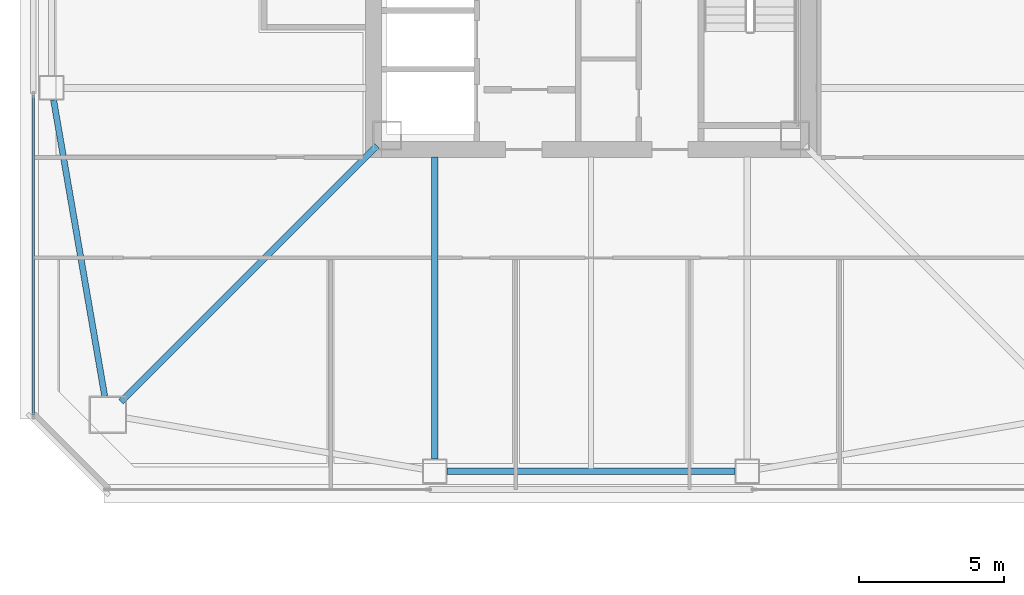
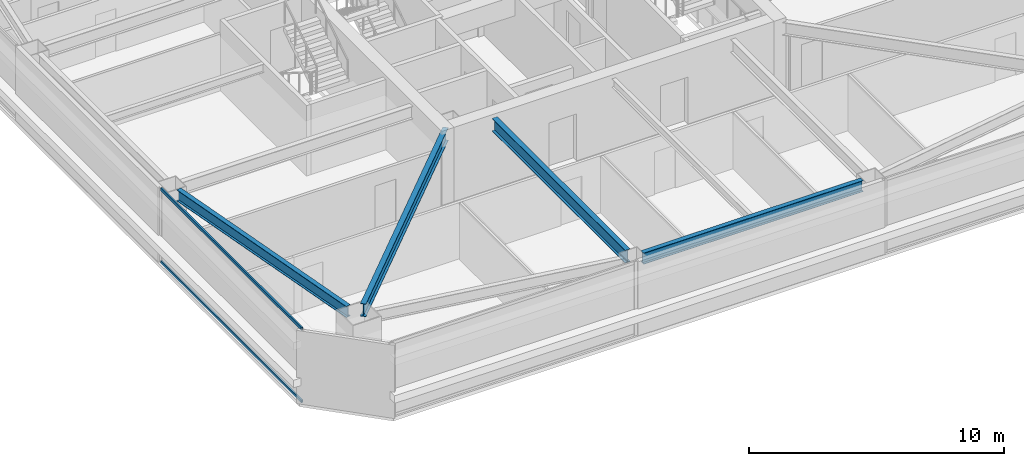
# One storey, part 4 of 41: 4 beams, 2 members, 1 element without a shape of its own.
"""IFC4 building model written with IfcOpenShell, lengths in metres."""

from ifc_helpers import new_model, si_unit, direction, frame, origin, origin_2d, place, context, subcontext, project, spatial, hollow_rectangle, i_section, extrude, material, material_profile, profile_set, type_object, element, aggregate, save


model = new_model("IFC4")

# Units and contexts
model_context = context("Model", 3, precision=1e-05, world=origin(), true_north=direction((0.0, 1.0)))
body_context = subcontext(model_context, "Body", "Model", "MODEL_VIEW")
ifc_project = project(units=[si_unit("LENGTHUNIT", "METRE"), si_unit("AREAUNIT", "SQUARE_METRE"), si_unit("VOLUMEUNIT", "CUBIC_METRE"), si_unit("PLANEANGLEUNIT", "RADIAN"), si_unit("MASSUNIT", "GRAM", prefix="KILO")], contexts=[model_context])

# Site, building, storey
site_placement = place(None, origin())
site = spatial("IfcSite", under=ifc_project, at=site_placement, CompositionType="ELEMENT")
building_placement = place(site_placement, origin())
building = spatial("IfcBuilding", under=site, at=building_placement, Name="Tashvorn Skyway Center", CompositionType="ELEMENT")
storey_placement = place(building_placement, frame((0.0, 0.0, 117.949951171875)))
storey = spatial("IfcBuildingStorey", under=building, at=storey_placement, Name="L31", CompositionType="ELEMENT", Elevation=117.949951171875)

# Beams
ifc_material_1 = material(Name="Steel ASTM A992 Grade 50", Category="steel")
ifc_material_profile_1 = material_profile(ifc_material_1, i_section(OverallWidth=0.22998046875, OverallDepth=0.616943359375, WebThickness=0.01318359375, FlangeThickness=0.022216796875, at=origin_2d()), Name="W24X94")
ifc_profile_set_1 = profile_set([ifc_material_profile_1], Name="Steel ASTM A992 Grade 50")
beam_type_1 = type_object("IfcBeamType", Name="BM-BEAM-W24X94", PredefinedType="BEAM", material=ifc_profile_set_1)
beam_1_placement = place(storey_placement, frame((25.756103515625, 15.756103515625, 3.0615234375), z_axis=(0.707106781187, 0.707106781187, 0.0), x_axis=(-0.707106781187, 0.707106781187, 0.0)))
element("IfcBeam", 1, at=beam_1_placement, inside=storey, type_object=beam_type_1, Name="Tower 1 L31 Primary Floor Girder MC-SW", PredefinedType="BEAM", context=body_context, shape_type="SweptSolid", body=[
    extrude(i_section(OverallWidth=0.22998046875, OverallDepth=0.616943359375, WebThickness=0.01318359375, FlangeThickness=0.022216796875, at=origin_2d()), origin(), (0.0, 0.0, 1.0), 12.50732421875),
])
beam_2_placement = place(storey_placement, frame((36.60009765625, 13.77001953125, 3.0615234375), z_axis=(0.0, 1.0, 0.0), x_axis=(-1.0, 0.0, 0.0)))
element("IfcBeam", 2, at=beam_2_placement, inside=storey, type_object=beam_type_1, Name="Tower 1 L31 Primary Floor Girder FC-S1", PredefinedType="BEAM", context=body_context, shape_type="SweptSolid", body=[
    extrude(i_section(OverallWidth=0.22998046875, OverallDepth=0.616943359375, WebThickness=0.01318359375, FlangeThickness=0.022216796875, at=origin_2d()), origin(), (0.0, 0.0, 1.0), 10.449951171875),
])
ifc_material_profile_2 = material_profile(ifc_material_1, i_section(OverallWidth=0.2109375, OverallDepth=0.5390625, WebThickness=0.01171875, FlangeThickness=0.018798828125, at=origin_2d()), Name="W21X73")
ifc_profile_set_2 = profile_set([ifc_material_profile_2], Name="Steel ASTM A992 Grade 50")
beam_type_2 = type_object("IfcBeamType", Name="BM-SPANDREL-W21X73", PredefinedType="SPANDREL", material=ifc_profile_set_2)
beam_3_placement = place(storey_placement, frame((37.02001953125, 13.35009765625, 3.1005859375), z_axis=(1.0, 0.0, 0.0), x_axis=(0.0, 1.0, 0.0)))
element("IfcBeam", 3, at=beam_3_placement, inside=storey, type_object=beam_type_2, Name="Tower 1 L31 Spandrel Beam 02", PredefinedType="SPANDREL", context=body_context, shape_type="SweptSolid", body=[
    extrude(i_section(OverallWidth=0.2109375, OverallDepth=0.5390625, WebThickness=0.01171875, FlangeThickness=0.018798828125, at=origin_2d()), origin(), (0.0, 0.0, 1.0), 9.9599609375),
])
beam_4_placement = place(storey_placement, frame((23.42138671875, 26.18603515625, 3.1005859375), z_axis=(0.170067250846, -0.985432458462, 0.0), x_axis=(0.985432458462, 0.170067250846, 0.0)))
element("IfcBeam", 4, at=beam_4_placement, inside=storey, type_object=beam_type_2, Name="Tower 1 L31 Spandrel Beam 12", PredefinedType="SPANDREL", context=body_context, shape_type="SweptSolid", body=[
    extrude(i_section(OverallWidth=0.2109375, OverallDepth=0.5390625, WebThickness=0.01171875, FlangeThickness=0.018798828125, at=origin_2d()), origin(), (0.0, 0.0, 1.0), 10.402099609375),
])

# Curtain wall, members
ifc_material_2 = material(Name="Thermally broken bronze-anodized aluminium 6063-T6", Category="aluminium")
curtain_wall_type = type_object("IfcCurtainWallType", Name="CW-CW-Z3", PredefinedType="NOTDEFINED", material=ifc_material_2)
curtain_wall_placement = place(storey_placement, origin())
curtain_wall = element("IfcCurtainWall", 5, at=curtain_wall_placement, inside=storey, type_object=curtain_wall_type, Name="Tower 1 L31 West Unitised Curtain Wall Glazing Group 1", PredefinedType="NOTDEFINED")
ifc_material_profile_3 = material_profile(ifc_material_2, hollow_rectangle(XDim=0.074951171875, YDim=0.139892578125, WallThickness=0.004150390625, at=origin_2d()), Name="ALU-TRAN-75x140")
ifc_profile_set_3 = profile_set([ifc_material_profile_3], Name="Thermally broken bronze-anodized aluminium 6063-T6")
member_type = type_object("IfcMemberType", Name="CWT-CW-Z3", PredefinedType="USERDEFINED", material=ifc_profile_set_3)
member_1_placement = place(storey_placement, frame((22.719970703125, 15.294921875, 0.03759765625), z_axis=(0.0, 1.0, 0.0), x_axis=(-1.0, 0.0, 0.0)))
member_1 = element("IfcMember", 6, at=member_1_placement, type_object=member_type, Name="CW-Z3 transom 1.1", ObjectType="TRANSOM", PredefinedType="USERDEFINED", context=body_context, shape_type="SweptSolid", body=[
    extrude(hollow_rectangle(XDim=0.074951171875, YDim=0.139892578125, WallThickness=0.004150390625, at=origin_2d()), origin(), (0.0, 0.0, 1.0), 11.036865234375),
])
member_2_placement = place(storey_placement, frame((22.719970703125, 15.294921875, 3.512451171875), z_axis=(0.0, 1.0, 0.0), x_axis=(-1.0, 0.0, 0.0)))
member_2 = element("IfcMember", 7, at=member_2_placement, type_object=member_type, Name="CW-Z3 transom 1.2", ObjectType="TRANSOM", PredefinedType="USERDEFINED", context=body_context, shape_type="SweptSolid", body=[
    extrude(hollow_rectangle(XDim=0.074951171875, YDim=0.139892578125, WallThickness=0.004150390625, at=origin_2d()), origin(), (0.0, 0.0, 1.0), 11.036865234375),
])
aggregate(curtain_wall, [member_1, member_2])

save(model, "model.ifc")
